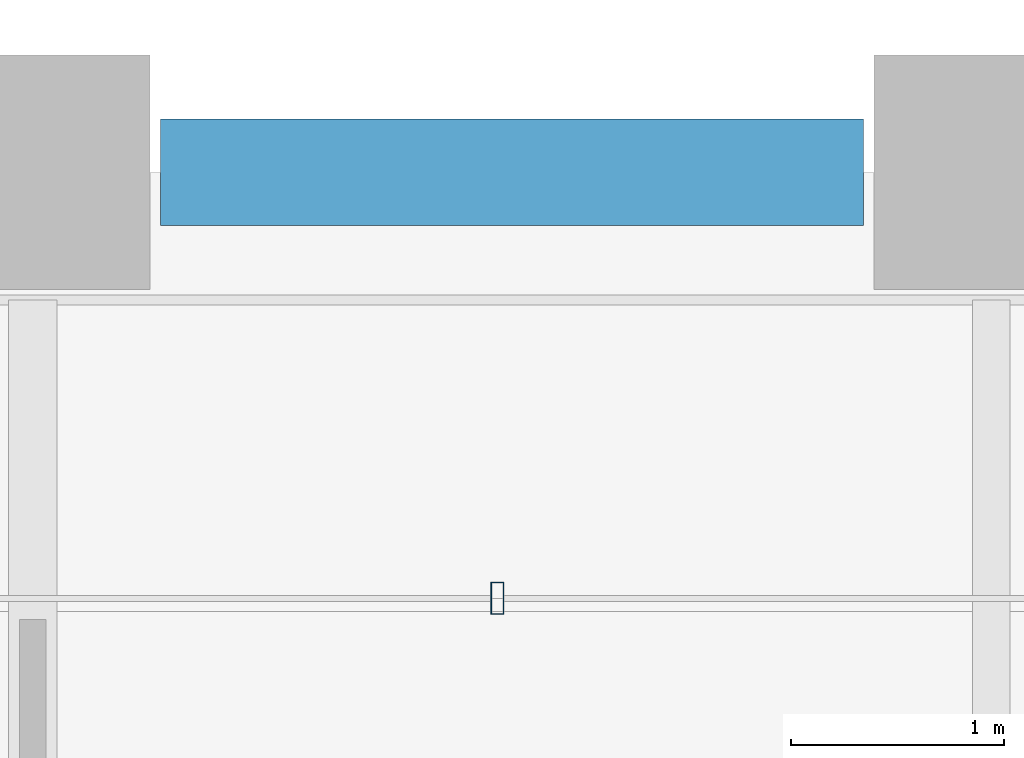
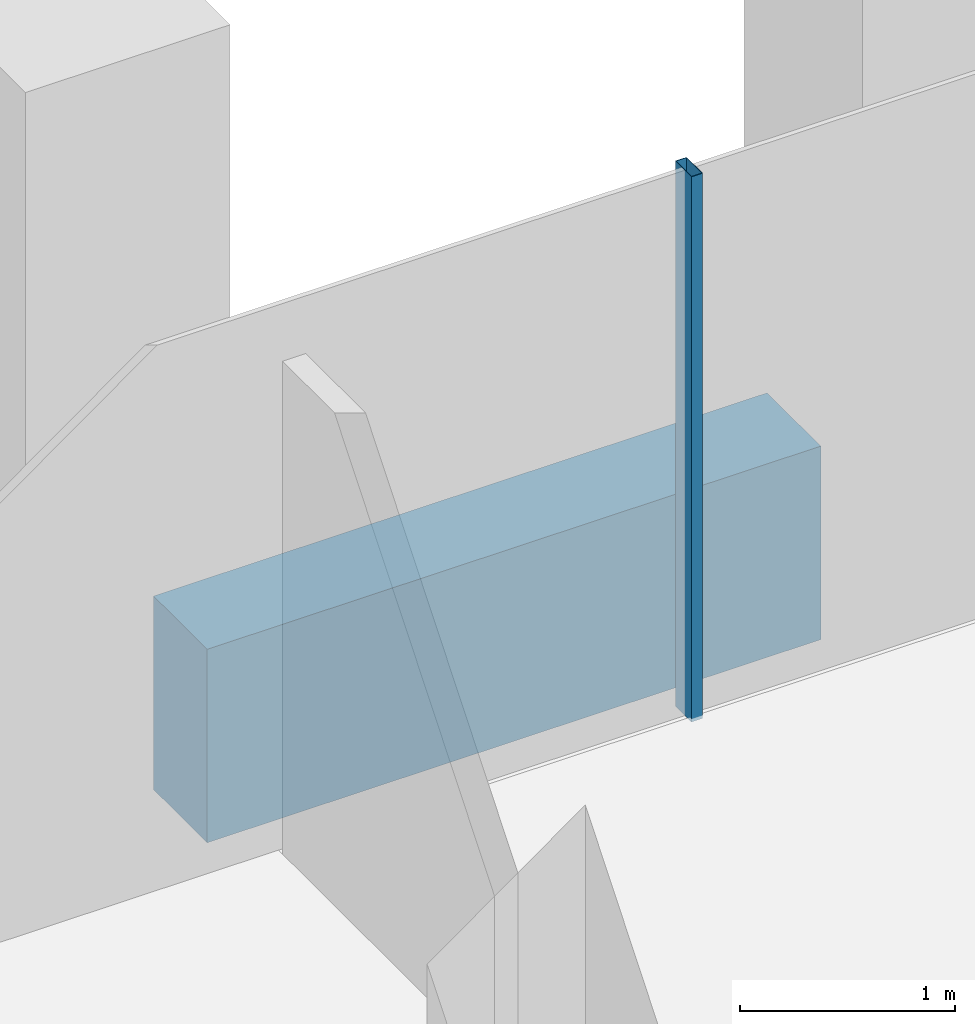
# One storey, part 41 of 55: 1 beam, 1 member, 1 element without a shape of its own.
"""IFC4 building model written with IfcOpenShell, lengths in metres."""

from ifc_helpers import new_model, si_unit, direction, frame, origin, origin_2d, place, context, subcontext, project, spatial, rectangle, hollow_rectangle, extrude, material, material_profile, profile_set, type_object, element, aggregate, save


model = new_model("IFC4")

# Units and contexts
model_context = context("Model", 3, precision=1e-05, world=origin(), true_north=direction((0.0, 1.0)))
body_context = subcontext(model_context, "Body", "Model", "MODEL_VIEW")
ifc_project = project(units=[si_unit("LENGTHUNIT", "METRE"), si_unit("AREAUNIT", "SQUARE_METRE"), si_unit("VOLUMEUNIT", "CUBIC_METRE"), si_unit("PLANEANGLEUNIT", "RADIAN"), si_unit("MASSUNIT", "GRAM", prefix="KILO")], contexts=[model_context])

# Site, building, storey
site_placement = place(None, origin())
site = spatial("IfcSite", under=ifc_project, at=site_placement, CompositionType="ELEMENT")
building_placement = place(site_placement, origin())
building = spatial("IfcBuilding", under=site, at=building_placement, Name="Altepetl Exchange Towers", CompositionType="ELEMENT")
storey_placement = place(building_placement, frame((0.0, 0.0, 47.39990234375)))
storey = spatial("IfcBuildingStorey", under=building, at=storey_placement, Name="L10", CompositionType="ELEMENT", Elevation=47.39990234375)

# Curtain wall, member
ifc_material_1 = material(Name="Aluminium 6063-T6 glazing", Category="aluminium")
curtain_wall_type = type_object("IfcCurtainWallType", Name="Loggia glazing system", PredefinedType="NOTDEFINED", material=ifc_material_1)
curtain_wall_placement = place(storey_placement, origin())
curtain_wall = element("IfcCurtainWall", 1, at=curtain_wall_placement, inside=storey, type_object=curtain_wall_type, Name="CW1 run", PredefinedType="NOTDEFINED")
ifc_material_2 = material(Name="Aluminium 6063-T6", Category="aluminium")
ifc_material_profile_1 = material_profile(ifc_material_2, hollow_rectangle(XDim=0.06005859375, YDim=0.14990234375, WallThickness=0.0029296875, at=origin_2d()), Name="Mullion 60x150 aluminium")
ifc_profile_set_1 = profile_set([ifc_material_profile_1], Name="Aluminium 6063-T6")
member_type = type_object("IfcMemberType", Name="Mullion 60x150 aluminium", PredefinedType="MULLION", material=ifc_profile_set_1)
member_placement = place(storey_placement, frame((105.68115234375, 56.5, 0.0), z_axis=(0.0, 0.0, 1.0), x_axis=(-1.0, 0.0, 0.0)))
member = element("IfcMember", 2, at=member_placement, type_object=member_type, Name="MU1 mullion", PredefinedType="MULLION", context=body_context, shape_type="SweptSolid", body=[
    extrude(hollow_rectangle(XDim=0.06005859375, YDim=0.14990234375, WallThickness=0.0029296875, at=origin_2d()), origin(), (0.0, 0.0, 1.0), 3.10009765625),
])
aggregate(curtain_wall, [member])

# Beam
ifc_material_3 = material(Name="Concrete C50/60 precast with cantera amarilla facing", Category="concrete")
ifc_material_profile_2 = material_profile(ifc_material_3, rectangle(XDim=0.5, YDim=1.10009765625, at=origin_2d()), Name="500 x 1100")
ifc_profile_set_2 = profile_set([ifc_material_profile_2], Name="Concrete C50/60 precast with cantera amarilla facing")
beam_type = type_object("IfcBeamType", Name="Spandrel beam 500x1100 cantera amarilla", PredefinedType="SPANDREL", material=ifc_profile_set_2)
beam_placement = place(storey_placement, frame((107.39990234375, 58.5, -0.699951171875), z_axis=(-1.0, 0.0, 0.0), x_axis=(0.0, -1.0, 0.0)))
element("IfcBeam", 3, at=beam_placement, inside=storey, type_object=beam_type, Name="sp:B:L10:021", PredefinedType="SPANDREL", context=body_context, shape_type="SweptSolid", body=[
    extrude(rectangle(XDim=0.5, YDim=1.10009765625, at=origin_2d()), origin(), (0.0, 0.0, 1.0), 3.2998046875),
])

save(model, "model.ifc")
